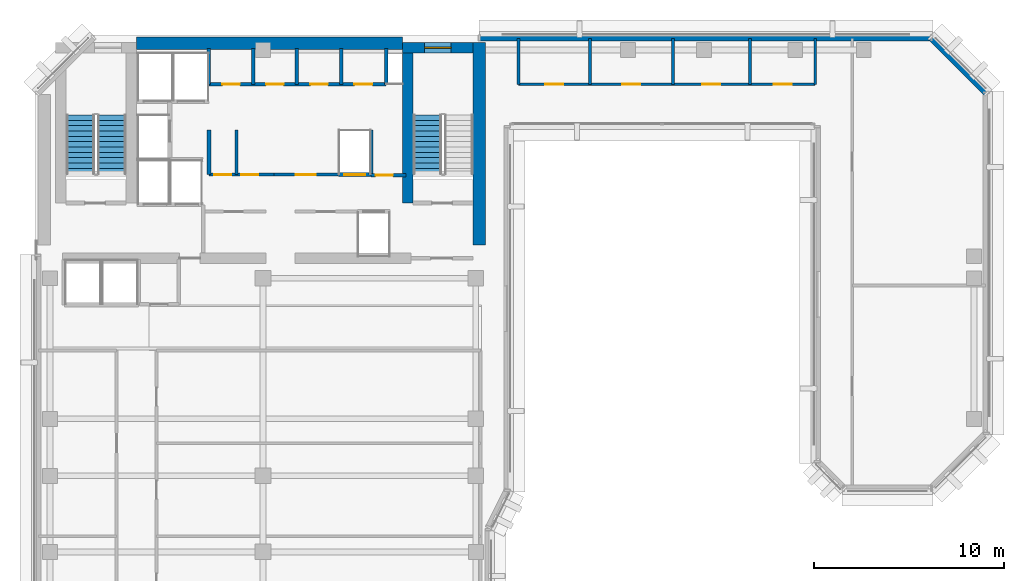
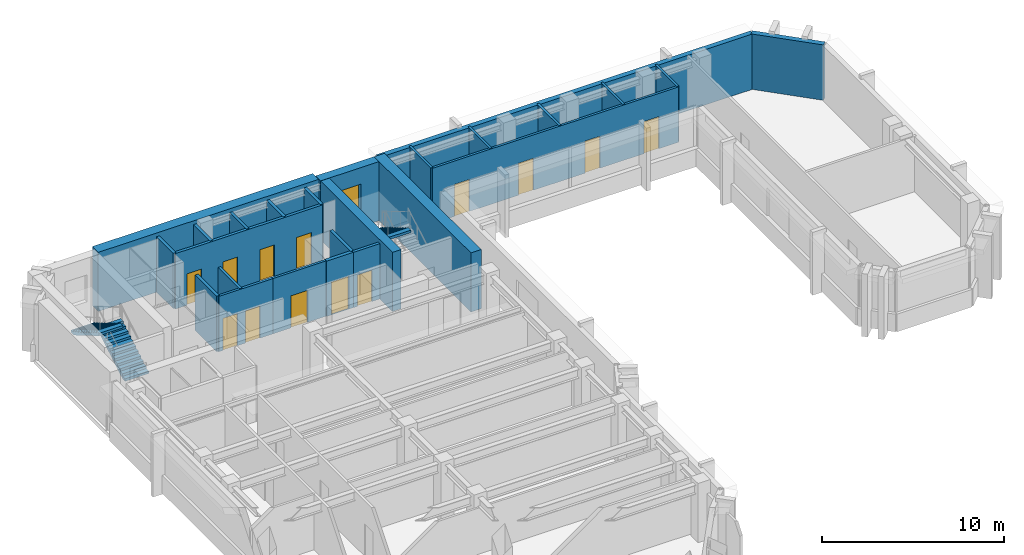
# One storey, part 7 of 12: 25 walls, 13 doors, 3 stair flights, 1 window, 14 openings, 2 elements without a shape of their own.
"""IFC4 building model written with IfcOpenShell, lengths in metres."""

import ifcopenshell
import ifcopenshell.guid

model = None  # the IFC model being written
_history = None  # IfcOwnerHistory: only IFC2X3 demands one
_inside = {}  # id of a spatial element -> (the spatial element, [elements in it])
_under = {}  # id of a project, library or spatial element -> (it, [spatial elements below it])
_declared = {}  # id of a project -> (the project, [libraries it declares])
_typed = {}  # id of a type object -> (the type object, [elements of that type])
_made_of = {}  # id of a material, layer set ... -> (it, [elements and type objects made of it])


def new_model(schema):
    """Start an empty IFC model of exactly this schema.

    Asked for "IFC4X3", IfcOpenShell would pick the latest addendum, in which some entities
    have other attributes; the version numbers below select the first issue.
    IFC2X3 requires an IfcOwnerHistory on every rooted entity: one is made here for all.
    """
    global model, _history
    if schema == "IFC4X3":
        model = ifcopenshell.file(schema_version=(4, 3, 0, 0))
    else:
        model = ifcopenshell.file(schema=schema)
    _inside.clear()
    _under.clear()
    _declared.clear()
    _typed.clear()
    _made_of.clear()
    _history = None
    if model.schema == "IFC2X3":
        org = make("IfcOrganization", Name="unknown")
        user = make(
            "IfcPersonAndOrganization",
            ThePerson=make("IfcPerson", FamilyName="unknown"),
            TheOrganization=org,
        )
        app = make(
            "IfcApplication",
            ApplicationDeveloper=org,
            Version="unknown",
            ApplicationFullName="unknown",
            ApplicationIdentifier="unknown",
        )
        _history = make(
            "IfcOwnerHistory",
            OwningUser=user,
            OwningApplication=app,
            ChangeAction="ADDED",
            CreationDate=0,
        )
    return model


def make(cls, **values):
    """One entity of the class cls with the attributes given. An attribute that is None is left unset."""
    return model.create_entity(
        cls, **{name: value for name, value in values.items() if value is not None}
    )


def rooted(cls, **values):
    """An entity with a GlobalId (a new one), such as an element, a storey or a relation."""
    return make(cls, GlobalId=ifcopenshell.guid.new(), OwnerHistory=_history, **values)


def si_unit(unit_type, name, prefix=None):
    """IfcSIUnit, for example si_unit("LENGTHUNIT", "METRE", prefix="MILLI")."""
    return make("IfcSIUnit", UnitType=unit_type, Prefix=prefix, Name=name)


def assignment(units):
    """IfcUnitAssignment: the units of a project."""
    return None if units is None else make("IfcUnitAssignment", Units=units)


def point(xyz):
    """IfcCartesianPoint."""
    return None if xyz is None else make("IfcCartesianPoint", Coordinates=xyz)


def direction(xyz):
    """IfcDirection."""
    return None if xyz is None else make("IfcDirection", DirectionRatios=xyz)


def frame(location, z_axis=None, x_axis=None):
    """IfcAxis2Placement3D, a coordinate frame: its origin and axes. An axis left out is left unset."""
    return make(
        "IfcAxis2Placement3D",
        Location=point(location),
        Axis=direction(z_axis),
        RefDirection=direction(x_axis),
    )


def frame_2d(location, x_axis=None):
    """IfcAxis2Placement2D, a coordinate frame in the plane: its origin and x axis."""
    return make(
        "IfcAxis2Placement2D", Location=point(location), RefDirection=direction(x_axis)
    )


def origin():
    """The frame at (0, 0, 0) with its axes left unset."""
    return frame((0.0, 0.0, 0.0))


def place(relative_to, where):
    """IfcLocalPlacement: puts the frame where relative to a parent placement (None: the world)."""
    return make(
        "IfcLocalPlacement", PlacementRelTo=relative_to, RelativePlacement=where
    )


def context(
    kind, dimensions, precision=None, world=None, true_north=None, identifier=None
):
    """IfcGeometricRepresentationContext, for example the 3D "Model" context."""
    return make(
        "IfcGeometricRepresentationContext",
        ContextIdentifier=identifier,
        ContextType=kind,
        CoordinateSpaceDimension=dimensions,
        Precision=precision,
        WorldCoordinateSystem=world,
        TrueNorth=true_north,
    )


def subcontext(parent, identifier, kind, view, scale=None):
    """IfcGeometricRepresentationSubContext, for example "Body" below "Model"."""
    return make(
        "IfcGeometricRepresentationSubContext",
        ContextIdentifier=identifier,
        ContextType=kind,
        ParentContext=parent,
        TargetScale=scale,
        TargetView=view,
    )


def project(units=None, contexts=None):
    """IfcProject with its units and contexts."""
    return rooted(
        "IfcProject",
        Name="project",
        RepresentationContexts=contexts,
        UnitsInContext=assignment(units),
    )


def spatial(cls, under=None, at=None, **own):
    """A site, building, storey or space (cls), placed at a placement, below another one or the project."""
    s = rooted(cls, ObjectPlacement=at, **own)
    if under is not None:
        _under.setdefault(under.id(), (under, []))[1].append(s)
    return s


def polyline(points):
    """IfcPolyline through the points."""
    return make("IfcPolyline", Points=[point(p) for p in points])


def profile(cls, at=None, kind="AREA", **sizes):
    """A parametric profile (cls). Its sizes go by their IFC names, for example OverallWidth=200.0."""
    return make(cls, ProfileType=kind, Position=at, **sizes)


def rectangle(**sizes):
    """IfcRectangleProfileDef."""
    return profile("IfcRectangleProfileDef", **sizes)


def outline(outer, holes=None, kind="AREA"):
    """IfcArbitraryClosedProfileDef: a profile drawn as a closed curve; with holes, ...WithVoids."""
    if holes is None:
        return make("IfcArbitraryClosedProfileDef", ProfileType=kind, OuterCurve=outer)
    return make(
        "IfcArbitraryProfileDefWithVoids",
        ProfileType=kind,
        OuterCurve=outer,
        InnerCurves=holes,
    )


def extrude(swept, where, along, depth):
    """IfcExtrudedAreaSolid: the profile swept, set in the frame where, extruded along a direction by depth."""
    return make(
        "IfcExtrudedAreaSolid",
        SweptArea=swept,
        Position=where,
        ExtrudedDirection=direction(along),
        Depth=depth,
    )


def shape(context_of_items, identifier, shape_type, items):
    """IfcShapeRepresentation: the items that make up one representation, for example the "Body"."""
    return make(
        "IfcShapeRepresentation",
        ContextOfItems=context_of_items,
        RepresentationIdentifier=identifier,
        RepresentationType=shape_type,
        Items=items,
    )


def material(Name=None, Category=None):
    """IfcMaterial."""
    return make("IfcMaterial", Name=Name, Category=Category)


def layer(
    of_material, thickness, ventilated=None, Name=None, Category=None, Priority=None
):
    """IfcMaterialLayer: one layer of a wall or slab, of a material (None: an air gap)."""
    return make(
        "IfcMaterialLayer",
        Material=of_material,
        LayerThickness=thickness,
        IsVentilated=ventilated,
        Name=Name,
        Category=Category,
        Priority=Priority,
    )


def layer_set(layers, Name=None):
    """IfcMaterialLayerSet."""
    return make("IfcMaterialLayerSet", MaterialLayers=layers, LayerSetName=Name)


def made_of(thing, what):
    """Note that an element or type object is made of a material, layer set ...; save() writes the relation."""
    if what is not None:
        _made_of.setdefault(what.id(), (what, []))[1].append(thing)
    return thing


def type_object(cls, material=None, **own):
    """A type object (cls), such as IfcWallType, which elements share."""
    return made_of(rooted(cls, **own), material)


def element(
    cls,
    number,
    at=None,
    inside=None,
    cuts=None,
    type_object=None,
    material=None,
    context=None,
    identifier="Body",
    shape_type=None,
    held_by="IfcProductDefinitionShape",
    body=None,
    shapes=None,
    **own,
):
    """One element of the class cls, such as IfcWall. Its Tag is "e" and its number.

    at: its placement. inside: the storey or other place that contains it. cuts: it is an
    opening in that element (IfcRelVoidsElement). A single representation is given by context,
    identifier, shape_type and body (its items); several are given by shapes. held_by: the class
    of the entity that holds the representations. save() writes the other relations.
    """
    e = rooted(cls, Tag="e%d" % number, ObjectPlacement=at, **own)
    if body is not None:
        shapes = [shape(context, identifier, shape_type, body)]
    if shapes is not None:
        e.Representation = make(held_by, Representations=shapes)
    if inside is not None:
        _inside.setdefault(inside.id(), (inside, []))[1].append(e)
    if cuts is not None:
        rooted(
            "IfcRelVoidsElement", RelatingBuildingElement=cuts, RelatedOpeningElement=e
        )
    if type_object is not None:
        _typed.setdefault(type_object.id(), (type_object, []))[1].append(e)
    return made_of(e, material)


def fill(opening, filler):
    """IfcRelFillsElement: the door or window that sits in an opening."""
    return rooted(
        "IfcRelFillsElement",
        RelatingOpeningElement=opening,
        RelatedBuildingElement=filler,
    )


def aggregate(whole, parts):
    """IfcRelAggregates: a whole, such as a stair, and the parts it consists of."""
    return rooted("IfcRelAggregates", RelatingObject=whole, RelatedObjects=parts)


def save(model, path):
    """Write the relations noted so far, then the file.

    IfcRelAggregates (storeys below a building ...), IfcRelContainedInSpatialStructure (elements
    in a storey), IfcRelDefinesByType, IfcRelAssociatesMaterial and IfcRelDeclares: one each for
    every whole, place, type object, material and project.
    """
    for whole, parts in _under.values():
        aggregate(whole, parts)
    for where, things in _inside.values():
        rooted(
            "IfcRelContainedInSpatialStructure",
            RelatedElements=things,
            RelatingStructure=where,
        )
    for kind, things in _typed.values():
        rooted("IfcRelDefinesByType", RelatedObjects=things, RelatingType=kind)
    for what, things in _made_of.values():
        rooted("IfcRelAssociatesMaterial", RelatedObjects=things, RelatingMaterial=what)
    for by, libraries in _declared.values():
        rooted("IfcRelDeclares", RelatingContext=by, RelatedDefinitions=libraries)
    model.write(path)


model = new_model("IFC4")

# Units and contexts
model_context = context("Model", 3, precision=1e-05, world=origin(), true_north=direction((0.0, 1.0)))
body_context = subcontext(model_context, "Body", "Model", "MODEL_VIEW")
ifc_project = project(units=[si_unit("LENGTHUNIT", "METRE"), si_unit("AREAUNIT", "SQUARE_METRE"), si_unit("VOLUMEUNIT", "CUBIC_METRE"), si_unit("PLANEANGLEUNIT", "RADIAN"), si_unit("MASSUNIT", "GRAM", prefix="KILO")], contexts=[model_context])

# Site, building, storey
site_placement = place(None, origin())
site = spatial("IfcSite", under=ifc_project, at=site_placement, CompositionType="ELEMENT")
building_placement = place(site_placement, origin())
building = spatial("IfcBuilding", under=site, at=building_placement, Name="Kefirva Bronze Tower", CompositionType="ELEMENT")
storey_placement = place(building_placement, frame((0.0, 0.0, 235.6201171875)))
storey = spatial("IfcBuildingStorey", under=building, at=storey_placement, Name="L57", CompositionType="ELEMENT", Elevation=235.6201171875)

# Wall, opening, door
ifc_material_1 = material(Name="Gypsum acoustic partition")
ifc_layer_1 = layer(ifc_material_1, 0.14990234375, Name="Gypsum acoustic partition")
ifc_layer_set_1 = layer_set([ifc_layer_1], Name="Gypsum acoustic partition")
wall_type_1 = type_object("IfcWallType", Name="Executive Suite Partition 150mm", PredefinedType="PARTITIONING", material=ifc_layer_set_1)
wall_1_placement = place(storey_placement, frame((12.580078125, 38.64990234375, 0.0), z_axis=(0.0, 0.0, 1.0), x_axis=(1.0, 0.0, 0.0)))
wall_1 = element("IfcWall", 1, at=wall_1_placement, inside=storey, type_object=wall_type_1, Name="L57 Partition W-L57-RECMP2", PredefinedType="PARTITIONING", context=body_context, shape_type="SweptSolid", body=[
    extrude(rectangle(XDim=3.3798828125, YDim=0.14990234375, at=frame_2d((1.68994140625, 0.0))), origin(), (0.0, 0.0, 1.0), 3.7099609375),
])
opening_1_placement = place(wall_1_placement, frame((2.199951171875, 0.0, 0.0), z_axis=(0.0, 0.0, 1.0), x_axis=(-1.0, 0.0, 0.0)))
opening_1 = element("IfcOpeningElement", 2, at=opening_1_placement, cuts=wall_1, Name="Opening L57-D-RECMP2", PredefinedType="OPENING", context=body_context, shape_type="SweptSolid", body=[
    extrude(rectangle(XDim=1.050048828125, YDim=2.14990234375, at=frame_2d((0.52490234375, 1.074951171875))), frame((0.0, 0.0849609375, 0.0), z_axis=(0.0, -1.0, 0.0), x_axis=(1.0, 0.0, 0.0)), (0.0, 0.0, 1.0), 0.169921875),
])
ifc_material_2 = material(Name="Acoustic hardwood oak", Category="wood")
door_type_1 = type_object("IfcDoorType", Name="Executive & Boardroom Door 1050x2150", OperationType="NOTDEFINED", PredefinedType="DOOR", material=ifc_material_2)
door_1_placement = place(opening_1_placement, origin())
door_1 = element("IfcDoor", 3, at=door_1_placement, inside=storey, type_object=door_type_1, Name="Door L57-D-RECMP2", OperationType="SINGLE_SWING_LEFT", OverallHeight=2.14990234375, OverallWidth=1.050048828125, PredefinedType="DOOR", context=body_context, shape_type="SweptSolid", body=[
    extrude(rectangle(XDim=1.050048828125, YDim=2.14990234375, at=frame_2d((0.52490234375, 1.074951171875))), frame((0.0, 0.02490234375, 0.0), z_axis=(0.0, -1.0, 0.0), x_axis=(1.0, 0.0, 0.0)), (0.0, 0.0, 1.0), 0.050048828125),
])
fill(opening_1, door_1)

# Wall, openings, doors
wall_2_placement = place(storey_placement, frame((25.449951171875, 43.39990234375, 0.0), z_axis=(0.0, 0.0, 1.0), x_axis=(1.0, 0.0, 0.0)))
wall_2 = element("IfcWall", 4, at=wall_2_placement, inside=storey, type_object=wall_type_1, Name="L57 Partition W-L57-PBRGN", PredefinedType="PARTITIONING", context=body_context, shape_type="SweptSolid", body=[
    extrude(rectangle(XDim=15.60009765625, YDim=0.14990234375, at=frame_2d((7.800048828125, 0.0))), origin(), (0.0, 0.0, 1.0), 3.7099609375),
])
opening_2_placement = place(wall_2_placement, frame((1.39697265625, 0.0, 0.0)))
opening_2 = element("IfcOpeningElement", 5, at=opening_2_placement, cuts=wall_2, Name="Opening L57-D-PBN1", PredefinedType="OPENING", context=body_context, shape_type="SweptSolid", body=[
    extrude(rectangle(XDim=0.949951171875, YDim=2.14990234375, at=frame_2d((0.47509765625, 1.074951171875))), frame((0.0, 0.0849609375, 0.0), z_axis=(0.0, -1.0, 0.0), x_axis=(1.0, 0.0, 0.0)), (0.0, 0.0, 1.0), 0.169921875),
])
opening_3_placement = place(wall_2_placement, frame((5.452880859375, 0.0, 0.0)))
opening_3 = element("IfcOpeningElement", 6, at=opening_3_placement, cuts=wall_2, Name="Opening L57-D-PBN2", PredefinedType="OPENING", context=body_context, shape_type="SweptSolid", body=[
    extrude(rectangle(XDim=0.949951171875, YDim=2.14990234375, at=frame_2d((0.47509765625, 1.074951171875))), frame((0.0, 0.0849609375, 0.0), z_axis=(0.0, -1.0, 0.0), x_axis=(1.0, 0.0, 0.0)), (0.0, 0.0, 1.0), 0.169921875),
])
opening_4_placement = place(wall_2_placement, frame((9.6650390625, 0.0, 0.0)))
opening_4 = element("IfcOpeningElement", 7, at=opening_4_placement, cuts=wall_2, Name="Opening L57-D-PBN3", PredefinedType="OPENING", context=body_context, shape_type="SweptSolid", body=[
    extrude(rectangle(XDim=0.949951171875, YDim=2.14990234375, at=frame_2d((0.47509765625, 1.074951171875))), frame((0.0, 0.0849609375, 0.0), z_axis=(0.0, -1.0, 0.0), x_axis=(1.0, 0.0, 0.0)), (0.0, 0.0, 1.0), 0.169921875),
])
opening_5_placement = place(wall_2_placement, frame((13.408935546875, 0.0, 0.0)))
opening_5 = element("IfcOpeningElement", 8, at=opening_5_placement, cuts=wall_2, Name="Opening L57-D-PBN4", PredefinedType="OPENING", context=body_context, shape_type="SweptSolid", body=[
    extrude(rectangle(XDim=0.949951171875, YDim=2.14990234375, at=frame_2d((0.47509765625, 1.074951171875))), frame((0.0, 0.0849609375, 0.0), z_axis=(0.0, -1.0, 0.0), x_axis=(1.0, 0.0, 0.0)), (0.0, 0.0, 1.0), 0.169921875),
])
door_type_2 = type_object("IfcDoorType", Name="Office & Meeting Room Door 950x2150", OperationType="NOTDEFINED", PredefinedType="DOOR", material=ifc_material_2)
door_2_placement = place(opening_2_placement, origin())
door_2 = element("IfcDoor", 9, at=door_2_placement, inside=storey, type_object=door_type_2, Name="Door L57-D-PBN1", OperationType="SINGLE_SWING_LEFT", OverallHeight=2.14990234375, OverallWidth=0.949951171875, PredefinedType="DOOR", context=body_context, shape_type="SweptSolid", body=[
    extrude(rectangle(XDim=0.949951171875, YDim=2.14990234375, at=frame_2d((0.47509765625, 1.074951171875))), frame((0.0, 0.02490234375, 0.0), z_axis=(0.0, -1.0, 0.0), x_axis=(1.0, 0.0, 0.0)), (0.0, 0.0, 1.0), 0.050048828125),
])
fill(opening_2, door_2)
door_3_placement = place(opening_3_placement, origin())
door_3 = element("IfcDoor", 10, at=door_3_placement, inside=storey, type_object=door_type_2, Name="Door L57-D-PBN2", OperationType="SINGLE_SWING_RIGHT", OverallHeight=2.14990234375, OverallWidth=0.949951171875, PredefinedType="DOOR", context=body_context, shape_type="SweptSolid", body=[
    extrude(rectangle(XDim=0.949951171875, YDim=2.14990234375, at=frame_2d((0.47509765625, 1.074951171875))), frame((0.0, 0.02490234375, 0.0), z_axis=(0.0, -1.0, 0.0), x_axis=(1.0, 0.0, 0.0)), (0.0, 0.0, 1.0), 0.050048828125),
])
fill(opening_3, door_3)
door_4_placement = place(opening_4_placement, origin())
door_4 = element("IfcDoor", 11, at=door_4_placement, inside=storey, type_object=door_type_2, Name="Door L57-D-PBN3", OperationType="SINGLE_SWING_LEFT", OverallHeight=2.14990234375, OverallWidth=0.949951171875, PredefinedType="DOOR", context=body_context, shape_type="SweptSolid", body=[
    extrude(rectangle(XDim=0.949951171875, YDim=2.14990234375, at=frame_2d((0.47509765625, 1.074951171875))), frame((0.0, 0.02490234375, 0.0), z_axis=(0.0, -1.0, 0.0), x_axis=(1.0, 0.0, 0.0)), (0.0, 0.0, 1.0), 0.050048828125),
])
fill(opening_4, door_4)
door_5_placement = place(opening_5_placement, origin())
door_5 = element("IfcDoor", 12, at=door_5_placement, inside=storey, type_object=door_type_2, Name="Door L57-D-PBN4", OperationType="SINGLE_SWING_RIGHT", OverallHeight=2.14990234375, OverallWidth=0.949951171875, PredefinedType="DOOR", context=body_context, shape_type="SweptSolid", body=[
    extrude(rectangle(XDim=0.949951171875, YDim=2.14990234375, at=frame_2d((0.47509765625, 1.074951171875))), frame((0.0, 0.02490234375, 0.0), z_axis=(0.0, -1.0, 0.0), x_axis=(1.0, 0.0, 0.0)), (0.0, 0.0, 1.0), 0.050048828125),
])
fill(opening_5, door_5)

# Walls
for number, where, z_axis, x_axis, name in (
    (13, (25.449951171875, 43.39990234375, 0.0), (0.0, 0.0, 1.0), (0.0, 1.0, 0.0), "L57 Partition W-L57-PBRGW"),
    (14, (41.050048828125, 43.39990234375, 0.0), (0.0, 0.0, 1.0), (0.0, 1.0, 0.0), "L57 Partition W-L57-PBRGE"),
    (15, (29.194091796875, 43.39990234375, 0.0), (0.0, 0.0, 1.0), (0.0, 1.0, 0.0), "L57 Partition W-L57-PBND1"),
    (16, (33.56201171875, 43.39990234375, 0.0), (0.0, 0.0, 1.0), (0.0, 1.0, 0.0), "L57 Partition W-L57-PBND2"),
    (17, (37.617919921875, 43.39990234375, 0.0), (0.0, 0.0, 1.0), (0.0, 1.0, 0.0), "L57 Partition W-L57-PBND3"),
):
    element("IfcWall", number, at=place(storey_placement, frame(where, z_axis=z_axis, x_axis=x_axis)), inside=storey, type_object=wall_type_1, Name=name, PredefinedType="PARTITIONING", context=body_context, shape_type="SweptSolid", body=[
        extrude(rectangle(XDim=2.41015625, YDim=0.14990234375, at=frame_2d((1.205078125, 0.0))), origin(), (0.0, 0.0, 1.0), 3.7099609375),
    ])
ifc_material_3 = material(Name="Gypsum fireboard shaftwall")
ifc_layer_2 = layer(ifc_material_3, 0.219970703125, Name="Gypsum fireboard shaftwall")
ifc_layer_set_2 = layer_set([ifc_layer_2], Name="Gypsum fireboard shaftwall")
wall_type_2 = type_object("IfcWallType", Name="Fire-Rated Shaft Enclosure Wall 220mm", PredefinedType="PARTITIONING", material=ifc_layer_set_2)
for number, where, z_axis, x_axis, name in (
    (18, (9.159912109375, 38.64990234375, 0.0), (0.0, 0.0, 1.0), (0.0, 1.0, 0.0), "L57 Partition W-L57-LP3W"),
    (19, (17.679931640625, 38.64990234375, 0.0), (0.0, 0.0, 1.0), (0.0, 1.0, 0.0), "L57 Partition W-L57-HP2E"),
):
    element("IfcWall", number, at=place(storey_placement, frame(where, z_axis=z_axis, x_axis=x_axis)), inside=storey, type_object=wall_type_2, Name=name, PredefinedType="PARTITIONING", context=body_context, shape_type="SweptSolid", body=[
        extrude(rectangle(XDim=2.35009765625, YDim=0.199951171875, at=frame_2d((1.175048828125, 0.0))), origin(), (0.0, 0.0, 1.0), 3.7099609375),
    ])

# Wall, opening, door
wall_3_placement = place(storey_placement, frame((15.97998046875, 38.64990234375, 0.0), z_axis=(0.0, 0.0, 1.0), x_axis=(1.0, 0.0, 0.0)))
wall_3 = element("IfcWall", 20, at=wall_3_placement, inside=storey, type_object=wall_type_2, Name="L57 Partition W-L57-HPN", PredefinedType="PARTITIONING", context=body_context, shape_type="SweptSolid", body=[
    extrude(rectangle(XDim=1.719970703125, YDim=0.219970703125, at=frame_2d((0.85986328125, 0.0))), origin(), (0.0, 0.0, 1.0), 3.7099609375),
])
opening_6_placement = place(wall_3_placement, frame((0.300048828125, 0.0, 0.0)))
opening_6 = element("IfcOpeningElement", 21, at=opening_6_placement, cuts=wall_3, Name="Opening L57-LD-HP2", PredefinedType="OPENING", context=body_context, shape_type="SweptSolid", body=[
    extrude(rectangle(XDim=1.10009765625, YDim=2.199951171875, at=frame_2d((0.550048828125, 1.10009765625))), frame((0.0, 0.1201171875, 0.0), z_axis=(0.0, -1.0, 0.0), x_axis=(1.0, 0.0, 0.0)), (0.0, 0.0, 1.0), 0.239990234375),
])
ifc_material_4 = material(Name="Stainless steel 316", Category="steel")
door_type_3 = type_object("IfcDoorType", Name="Passenger Lift Sliding Landing Door 1100x2200", OperationType="SLIDING_TO_LEFT", PredefinedType="DOOR", material=ifc_material_4)
door_6_placement = place(opening_6_placement, origin())
door_6 = element("IfcDoor", 22, at=door_6_placement, inside=storey, type_object=door_type_3, Name="Door L57-LD-HP2", OperationType="SLIDING_TO_LEFT", OverallHeight=2.199951171875, OverallWidth=1.10009765625, PredefinedType="DOOR", context=body_context, shape_type="SweptSolid", body=[
    extrude(rectangle(XDim=1.10009765625, YDim=2.199951171875, at=frame_2d((0.550048828125, 1.10009765625))), frame((0.0, 0.02490234375, 0.0), z_axis=(0.0, -1.0, 0.0), x_axis=(1.0, 0.0, 0.0)), (0.0, 0.0, 1.0), 0.050048828125),
])
fill(opening_6, door_6)

ifc_material_5 = material(Name="Gypsum fireboard barrier")
ifc_layer_3 = layer(ifc_material_5, 0.199951171875, Name="Gypsum fireboard barrier")
ifc_layer_set_3 = layer_set([ifc_layer_3], Name="Gypsum fireboard barrier")
wall_type_3 = type_object("IfcWallType", Name="Firefighting Lobby Barrier Wall 200mm", PredefinedType="PARTITIONING", material=ifc_layer_set_3)
wall_4_placement = place(storey_placement, frame((17.679931640625, 38.6201171875, 0.0), z_axis=(0.0, 0.0, 1.0), x_axis=(1.0, 0.0, 0.0)))
wall_4 = element("IfcWall", 23, at=wall_4_placement, inside=storey, type_object=wall_type_3, Name="L57 Partition W-L57-CPASS", PredefinedType="PARTITIONING", context=body_context, shape_type="SweptSolid", body=[
    extrude(rectangle(XDim=1.840087890625, YDim=0.179931640625, at=frame_2d((0.919921875, 0.0))), origin(), (0.0, 0.0, 1.0), 3.7099609375),
])
opening_7_placement = place(wall_4_placement, frame((0.239990234375, 0.0, 0.0)))
opening_7 = element("IfcOpeningElement", 24, at=opening_7_placement, cuts=wall_4, Name="Opening L57-D-CPAS", PredefinedType="OPENING", context=body_context, shape_type="SweptSolid", body=[
    extrude(rectangle(XDim=0.919921875, YDim=2.10009765625, at=frame_2d((0.4599609375, 1.050048828125))), frame((0.0, 0.10009765625, 0.0), z_axis=(0.0, -1.0, 0.0), x_axis=(1.0, 0.0, 0.0)), (0.0, 0.0, 1.0), 0.199951171875),
])
ifc_material_6 = material(Name="Moisture-resistant timber", Category="wood")
door_type_4 = type_object("IfcDoorType", Name="Accessible Sanitary & WC Door 920x2100", OperationType="NOTDEFINED", PredefinedType="DOOR", material=ifc_material_6)
door_7_placement = place(opening_7_placement, origin())
door_7 = element("IfcDoor", 25, at=door_7_placement, inside=storey, type_object=door_type_4, Name="Door L57-D-CPAS", OperationType="SINGLE_SWING_LEFT", OverallHeight=2.10009765625, OverallWidth=0.919921875, PredefinedType="DOOR", context=body_context, shape_type="SweptSolid", body=[
    extrude(rectangle(XDim=0.919921875, YDim=2.10009765625, at=frame_2d((0.4599609375, 1.050048828125))), frame((0.0, 0.02490234375, 0.0), z_axis=(0.0, -1.0, 0.0), x_axis=(1.0, 0.0, 0.0)), (0.0, 0.0, 1.0), 0.050048828125),
])
fill(opening_7, door_7)

# Walls
ifc_material_7 = material(Name="Precast concrete C40/50", Category="concrete")
ifc_layer_4 = layer(ifc_material_7, 0.320068359375, Name="Precast concrete C40/50")
ifc_layer_set_4 = layer_set([ifc_layer_4], Name="Precast concrete C40/50")
wall_type_4 = type_object("IfcWallType", Name="Precast Insulated Exterior Wall 320mm", PredefinedType="SOLIDWALL", material=ifc_layer_set_4)
wall_5_placement = place(storey_placement, frame((50.048095703125, 42.92578125, 0.0), z_axis=(0.0, 0.0, 1.0), x_axis=(-0.707136318428, 0.707077242712, 0.0)))
element("IfcWall", 26, at=wall_5_placement, inside=storey, type_object=wall_type_4, Name="L57 Exterior Facade Wall 10", PredefinedType="SOLIDWALL", context=body_context, shape_type="SweptSolid", body=[
    extrude(rectangle(XDim=4.132568359375, YDim=0.320068359375, at=frame_2d((2.06640625, 0.0))), origin(), (0.0, 0.0, 1.0), 3.7099609375),
])
wall_6_placement = place(storey_placement, frame((47.14501953125, 45.840087890625, 0.0), z_axis=(0.0, 0.0, 1.0), x_axis=(-1.0, 0.0, 0.0)))
element("IfcWall", 27, at=wall_6_placement, inside=storey, type_object=wall_type_4, Name="L57 Exterior Facade Wall 11", PredefinedType="SOLIDWALL", context=body_context, shape_type="SweptSolid", body=[
    extrude(rectangle(XDim=23.739990234375, YDim=0.320068359375, at=frame_2d((11.8701171875, 0.0))), origin(), (0.0, 0.0, 1.0), 3.7099609375),
])

# Wall, openings, doors
ifc_layer_5 = layer(ifc_material_1, 0.159912109375, Name="Gypsum acoustic partition")
ifc_layer_set_5 = layer_set([ifc_layer_5], Name="Gypsum acoustic partition")
wall_type_5 = type_object("IfcWallType", Name="Protected Corridor Partition 160mm", PredefinedType="PARTITIONING", material=ifc_layer_set_5)
wall_7_placement = place(storey_placement, frame((9.159912109375, 38.64990234375, 0.0), z_axis=(0.0, 0.0, 1.0), x_axis=(1.0, 0.0, 0.0)))
wall_7 = element("IfcWall", 28, at=wall_7_placement, inside=storey, type_object=wall_type_5, Name="L57 Partition W-L57-RECLP2", PredefinedType="PARTITIONING", context=body_context, shape_type="SweptSolid", body=[
    extrude(rectangle(XDim=3.420166015625, YDim=0.159912109375, at=frame_2d((1.7099609375, 0.0))), origin(), (0.0, 0.0, 1.0), 3.7099609375),
])
opening_8_placement = place(wall_7_placement, frame((1.179931640625, 0.0, 0.0), z_axis=(0.0, 0.0, 1.0), x_axis=(-1.0, 0.0, 0.0)))
opening_8 = element("IfcOpeningElement", 29, at=opening_8_placement, cuts=wall_7, Name="Opening L57-D-RECLP2A", PredefinedType="OPENING", context=body_context, shape_type="SweptSolid", body=[
    extrude(rectangle(XDim=0.89990234375, YDim=2.14990234375, at=frame_2d((0.449951171875, 1.074951171875))), frame((0.0, 0.08984375, 0.0), z_axis=(0.0, -1.0, 0.0), x_axis=(1.0, 0.0, 0.0)), (0.0, 0.0, 1.0), 0.179931640625),
])
opening_9_placement = place(wall_7_placement, frame((2.599853515625, 0.0, 0.0), z_axis=(0.0, 0.0, 1.0), x_axis=(-1.0, 0.0, 0.0)))
opening_9 = element("IfcOpeningElement", 30, at=opening_9_placement, cuts=wall_7, Name="Opening L57-D-RECLP2B", PredefinedType="OPENING", context=body_context, shape_type="SweptSolid", body=[
    extrude(rectangle(XDim=0.89990234375, YDim=2.14990234375, at=frame_2d((0.449951171875, 1.074951171875))), frame((0.0, 0.08984375, 0.0), z_axis=(0.0, -1.0, 0.0), x_axis=(1.0, 0.0, 0.0)), (0.0, 0.0, 1.0), 0.179931640625),
])
ifc_material_8 = material(Name="Painted galvanized steel", Category="steel")
door_type_5 = type_object("IfcDoorType", Name="Core Archive & Server Fire Door 900x2150 FD60S", OperationType="NOTDEFINED", PredefinedType="DOOR", material=ifc_material_8)
door_8_placement = place(opening_8_placement, origin())
door_8 = element("IfcDoor", 31, at=door_8_placement, inside=storey, type_object=door_type_5, Name="Door L57-D-RECLP2A", OperationType="SINGLE_SWING_RIGHT", OverallHeight=2.14990234375, OverallWidth=0.89990234375, PredefinedType="DOOR", context=body_context, shape_type="SweptSolid", body=[
    extrude(rectangle(XDim=0.89990234375, YDim=2.14990234375, at=frame_2d((0.449951171875, 1.074951171875))), frame((0.0, 0.02490234375, 0.0), z_axis=(0.0, -1.0, 0.0), x_axis=(1.0, 0.0, 0.0)), (0.0, 0.0, 1.0), 0.050048828125),
])
fill(opening_8, door_8)
door_9_placement = place(opening_9_placement, origin())
door_9 = element("IfcDoor", 32, at=door_9_placement, inside=storey, type_object=door_type_5, Name="Door L57-D-RECLP2B", OperationType="SINGLE_SWING_LEFT", OverallHeight=2.14990234375, OverallWidth=0.89990234375, PredefinedType="DOOR", context=body_context, shape_type="SweptSolid", body=[
    extrude(rectangle(XDim=0.89990234375, YDim=2.14990234375, at=frame_2d((0.449951171875, 1.074951171875))), frame((0.0, 0.02490234375, 0.0), z_axis=(0.0, -1.0, 0.0), x_axis=(1.0, 0.0, 0.0)), (0.0, 0.0, 1.0), 0.050048828125),
])
fill(opening_9, door_9)

# Wall
wall_8_placement = place(storey_placement, frame((10.60009765625, 38.64990234375, 0.0), z_axis=(0.0, 0.0, 1.0), x_axis=(0.0, 1.0, 0.0)))
element("IfcWall", 33, at=wall_8_placement, inside=storey, type_object=wall_type_5, Name="L57 Partition W-L57-RECLP2D", PredefinedType="PARTITIONING", context=body_context, shape_type="SweptSolid", body=[
    extrude(rectangle(XDim=2.35009765625, YDim=0.159912109375, at=frame_2d((1.175048828125, 0.0))), origin(), (0.0, 0.0, 1.0), 3.7099609375),
])

# Wall, opening, window
ifc_material_9 = material(Name="Concrete C50/60", Category="concrete")
ifc_layer_6 = layer(ifc_material_9, 0.550048828125, Name="Concrete C50/60")
ifc_layer_set_6 = layer_set([ifc_layer_6], Name="Concrete C50/60")
wall_type_6 = type_object("IfcWallType", Name="RC Rear Core Exterior Wall 550mm", PredefinedType="SHEAR", material=ifc_layer_set_6)
wall_9_placement = place(storey_placement, frame((19.35009765625, 45.320068359375, 0.0), z_axis=(0.0, 0.0, 1.0), x_axis=(1.0, 0.0, 0.0)))
wall_9 = element("IfcWall", 34, at=wall_9_placement, inside=storey, type_object=wall_type_6, Name="L57 Stair 2 North Shear Wall", PredefinedType="SHEAR", context=body_context, shape_type="SweptSolid", body=[
    extrude(rectangle(XDim=3.68994140625, YDim=0.550048828125, at=frame_2d((1.844970703125, 0.0))), origin(), (0.0, 0.0, 1.0), 3.9599609375),
])
opening_10_placement = place(wall_9_placement, frame((1.14990234375, 0.0, 1.050048828125)))
opening_10 = element("IfcOpeningElement", 35, at=opening_10_placement, cuts=wall_9, Name="Opening WN-03", PredefinedType="OPENING", context=body_context, shape_type="SweptSolid", body=[
    extrude(rectangle(XDim=1.39990234375, YDim=1.800048828125, at=frame_2d((0.699951171875, 0.89990234375))), frame((0.0, 0.28515625, 0.0), z_axis=(0.0, -1.0, 0.0), x_axis=(1.0, 0.0, 0.0)), (0.0, 0.0, 1.0), 0.570068359375),
])
ifc_material_10 = material(Name="Laminated low-E double glazing", Category="glass")
window_type = type_object("IfcWindowType", Name="Rear-Core Stair Daylight Window 1400x1800", PartitioningType="SINGLE_PANEL", PredefinedType="WINDOW", material=ifc_material_10)
window_placement = place(opening_10_placement, origin())
window = element("IfcWindow", 36, at=window_placement, inside=storey, type_object=window_type, Name="L57 Stair 2 Daylight Window", OverallHeight=1.800048828125, OverallWidth=1.39990234375, PartitioningType="SINGLE_PANEL", PredefinedType="WINDOW", context=body_context, shape_type="SweptSolid", body=[
    extrude(rectangle(XDim=1.39990234375, YDim=1.800048828125, at=frame_2d((0.699951171875, 0.89990234375))), frame((0.0, 0.030029296875, 0.0), z_axis=(0.0, -1.0, 0.0), x_axis=(1.0, 0.0, 0.0)), (0.0, 0.0, 1.0), 0.06005859375),
])
fill(opening_10, window)

# Walls
ifc_layer_7 = layer(ifc_material_9, 0.64990234375, Name="Concrete C50/60")
ifc_layer_set_7 = layer_set([ifc_layer_7], Name="Concrete C50/60")
wall_type_7 = type_object("IfcWallType", Name="RC Rear Core Exterior Wall 650mm", PredefinedType="SHEAR", material=ifc_layer_set_7)
wall_10_placement = place(storey_placement, frame((5.360107421875, 45.550048828125, 0.0), z_axis=(0.0, 0.0, 1.0), x_axis=(1.0, 0.0, 0.0)))
element("IfcWall", 37, at=wall_10_placement, inside=storey, type_object=wall_type_7, Name="L57 Rear Core North Shear Wall", PredefinedType="SHEAR", context=body_context, shape_type="SweptSolid", body=[
    extrude(rectangle(XDim=13.97998046875, YDim=0.64990234375, at=frame_2d((6.989990234375, 0.0))), origin(), (0.0, 0.0, 1.0), 3.9599609375),
])
ifc_layer_8 = layer(ifc_material_9, 0.550048828125, Name="Concrete C50/60")
ifc_layer_set_8 = layer_set([ifc_layer_8], Name="Concrete C50/60")
wall_type_8 = type_object("IfcWallType", Name="RC Rear Core Interior Wall 550mm", PredefinedType="SHEAR", material=ifc_layer_set_8)
wall_11_placement = place(storey_placement, frame((19.6201171875, 37.14990234375, 0.0), z_axis=(0.0, 0.0, 1.0), x_axis=(0.0, 1.0, 0.0)))
element("IfcWall", 38, at=wall_11_placement, inside=storey, type_object=wall_type_8, Name="L57 Stair 2 West Shear Wall", PredefinedType="SHEAR", context=body_context, shape_type="SweptSolid", body=[
    extrude(rectangle(XDim=7.89013671875, YDim=0.550048828125, at=frame_2d((3.945068359375, 0.0))), origin(), (0.0, 0.0, 1.0), 3.9599609375),
])
ifc_layer_9 = layer(ifc_material_9, 0.64990234375, Name="Concrete C50/60")
ifc_layer_set_9 = layer_set([ifc_layer_9], Name="Concrete C50/60")
wall_type_9 = type_object("IfcWallType", Name="RC Rear Core Interior Wall 650mm", PredefinedType="SHEAR", material=ifc_layer_set_9)
wall_12_placement = place(storey_placement, frame((23.375, 34.949951171875, 0.0), z_axis=(0.0, 0.0, 1.0), x_axis=(0.0, 1.0, 0.0)))
element("IfcWall", 39, at=wall_12_placement, inside=storey, type_object=wall_type_9, Name="L57 Rear Core East Shear Wall", PredefinedType="SHEAR", context=body_context, shape_type="SweptSolid", body=[
    extrude(rectangle(XDim=10.64013671875, YDim=0.64990234375, at=frame_2d((5.320068359375, 0.0))), origin(), (0.0, 0.0, 1.0), 3.9599609375),
])

# Wall, openings, doors
ifc_material_11 = material(Name="Moisture-resistant partition")
ifc_layer_10 = layer(ifc_material_11, 0.179931640625, Name="Moisture-resistant partition")
ifc_layer_set_10 = layer_set([ifc_layer_10], Name="Moisture-resistant partition")
wall_type_10 = type_object("IfcWallType", Name="Sanitary Plumbing Chase Wall 180mm", PredefinedType="PLUMBINGWALL", material=ifc_layer_set_10)
wall_13_placement = place(storey_placement, frame((9.14990234375, 43.39990234375, 0.0), z_axis=(0.0, 0.0, 1.0), x_axis=(1.0, 0.0, 0.0)))
wall_13 = element("IfcWall", 40, at=wall_13_placement, inside=storey, type_object=wall_type_10, Name="L57 Partition W-L57-SVCS", PredefinedType="PLUMBINGWALL", context=body_context, shape_type="SweptSolid", body=[
    extrude(rectangle(XDim=9.330078125, YDim=0.179931640625, at=frame_2d((4.6650390625, 0.0))), origin(), (0.0, 0.0, 1.0), 3.7099609375),
])
opening_11_placement = place(wall_13_placement, frame((0.719970703125, 0.0, 0.0)))
opening_11 = element("IfcOpeningElement", 41, at=opening_11_placement, cuts=wall_13, Name="Opening L57-D-CSVC1", PredefinedType="OPENING", context=body_context, shape_type="SweptSolid", body=[
    extrude(rectangle(XDim=0.919921875, YDim=2.10009765625, at=frame_2d((0.4599609375, 1.050048828125))), frame((0.0, 0.10009765625, 0.0), z_axis=(0.0, -1.0, 0.0), x_axis=(1.0, 0.0, 0.0)), (0.0, 0.0, 1.0), 0.199951171875),
])
opening_12_placement = place(wall_13_placement, frame((3.02001953125, 0.0, 0.0)))
opening_12 = element("IfcOpeningElement", 42, at=opening_12_placement, cuts=wall_13, Name="Opening L57-D-CSVC2", PredefinedType="OPENING", context=body_context, shape_type="SweptSolid", body=[
    extrude(rectangle(XDim=0.919921875, YDim=2.10009765625, at=frame_2d((0.4599609375, 1.050048828125))), frame((0.0, 0.10009765625, 0.0), z_axis=(0.0, -1.0, 0.0), x_axis=(1.0, 0.0, 0.0)), (0.0, 0.0, 1.0), 0.199951171875),
])
opening_13_placement = place(wall_13_placement, frame((5.340087890625, 0.0, 0.0)))
opening_13 = element("IfcOpeningElement", 43, at=opening_13_placement, cuts=wall_13, Name="Opening L57-D-CSVC3", PredefinedType="OPENING", context=body_context, shape_type="SweptSolid", body=[
    extrude(rectangle(XDim=0.919921875, YDim=2.10009765625, at=frame_2d((0.4599609375, 1.050048828125))), frame((0.0, 0.10009765625, 0.0), z_axis=(0.0, -1.0, 0.0), x_axis=(1.0, 0.0, 0.0)), (0.0, 0.0, 1.0), 0.199951171875),
])
opening_14_placement = place(wall_13_placement, frame((7.659912109375, 0.0, 0.0)))
opening_14 = element("IfcOpeningElement", 44, at=opening_14_placement, cuts=wall_13, Name="Opening L57-D-CSVC4", PredefinedType="OPENING", context=body_context, shape_type="SweptSolid", body=[
    extrude(rectangle(XDim=0.949951171875, YDim=2.10009765625, at=frame_2d((0.47509765625, 1.050048828125))), frame((0.0, 0.10009765625, 0.0), z_axis=(0.0, -1.0, 0.0), x_axis=(1.0, 0.0, 0.0)), (0.0, 0.0, 1.0), 0.199951171875),
])
door_10_placement = place(opening_11_placement, origin())
door_10 = element("IfcDoor", 45, at=door_10_placement, inside=storey, type_object=door_type_4, Name="Door L57-D-CSVC1", OperationType="SINGLE_SWING_RIGHT", OverallHeight=2.10009765625, OverallWidth=0.919921875, PredefinedType="DOOR", context=body_context, shape_type="SweptSolid", body=[
    extrude(rectangle(XDim=0.919921875, YDim=2.10009765625, at=frame_2d((0.4599609375, 1.050048828125))), frame((0.0, 0.02490234375, 0.0), z_axis=(0.0, -1.0, 0.0), x_axis=(1.0, 0.0, 0.0)), (0.0, 0.0, 1.0), 0.050048828125),
])
fill(opening_11, door_10)
door_11_placement = place(opening_12_placement, origin())
door_11 = element("IfcDoor", 46, at=door_11_placement, inside=storey, type_object=door_type_4, Name="Door L57-D-CSVC2", OperationType="SINGLE_SWING_LEFT", OverallHeight=2.10009765625, OverallWidth=0.919921875, PredefinedType="DOOR", context=body_context, shape_type="SweptSolid", body=[
    extrude(rectangle(XDim=0.919921875, YDim=2.10009765625, at=frame_2d((0.4599609375, 1.050048828125))), frame((0.0, 0.02490234375, 0.0), z_axis=(0.0, -1.0, 0.0), x_axis=(1.0, 0.0, 0.0)), (0.0, 0.0, 1.0), 0.050048828125),
])
fill(opening_12, door_11)
door_12_placement = place(opening_13_placement, origin())
door_12 = element("IfcDoor", 47, at=door_12_placement, inside=storey, type_object=door_type_4, Name="Door L57-D-CSVC3", OperationType="SINGLE_SWING_RIGHT", OverallHeight=2.10009765625, OverallWidth=0.919921875, PredefinedType="DOOR", context=body_context, shape_type="SweptSolid", body=[
    extrude(rectangle(XDim=0.919921875, YDim=2.10009765625, at=frame_2d((0.4599609375, 1.050048828125))), frame((0.0, 0.02490234375, 0.0), z_axis=(0.0, -1.0, 0.0), x_axis=(1.0, 0.0, 0.0)), (0.0, 0.0, 1.0), 0.050048828125),
])
fill(opening_13, door_12)
door_type_6 = type_object("IfcDoorType", Name="Riser & Plant Shaft Fire Door 950x2100 FD60S", OperationType="NOTDEFINED", PredefinedType="DOOR", material=ifc_material_8)
door_13_placement = place(opening_14_placement, origin())
door_13 = element("IfcDoor", 48, at=door_13_placement, inside=storey, type_object=door_type_6, Name="Door L57-D-CSVC4", OperationType="SINGLE_SWING_LEFT", OverallHeight=2.10009765625, OverallWidth=0.949951171875, PredefinedType="DOOR", context=body_context, shape_type="SweptSolid", body=[
    extrude(rectangle(XDim=0.949951171875, YDim=2.10009765625, at=frame_2d((0.47509765625, 1.050048828125))), frame((0.0, 0.02490234375, 0.0), z_axis=(0.0, -1.0, 0.0), x_axis=(1.0, 0.0, 0.0)), (0.0, 0.0, 1.0), 0.050048828125),
])
fill(opening_14, door_13)

# Walls
for number, where, z_axis, x_axis, name in (
    (49, (9.14990234375, 43.39990234375, 0.0), (0.0, 0.0, 1.0), (0.0, 1.0, 0.0), "L57 Partition W-L57-SVCW"),
    (50, (18.47998046875, 43.39990234375, 0.0), (0.0, 0.0, 1.0), (0.0, 1.0, 0.0), "L57 Partition W-L57-SVCE"),
    (51, (11.47998046875, 43.39990234375, 0.0), (0.0, 0.0, 1.0), (0.0, 1.0, 0.0), "L57 Partition W-L57-CSVD-1"),
    (52, (13.780029296875, 43.39990234375, 0.0), (0.0, 0.0, 1.0), (0.0, 1.0, 0.0), "L57 Partition W-L57-CSVD-2"),
    (53, (16.1201171875, 43.39990234375, 0.0), (0.0, 0.0, 1.0), (0.0, 1.0, 0.0), "L57 Partition W-L57-CSVD-3"),
):
    element("IfcWall", number, at=place(storey_placement, frame(where, z_axis=z_axis, x_axis=x_axis)), inside=storey, type_object=wall_type_10, Name=name, PredefinedType="PLUMBINGWALL", context=body_context, shape_type="SweptSolid", body=[
        extrude(rectangle(XDim=1.880126953125, YDim=0.179931640625, at=frame_2d((0.93994140625, 0.0))), origin(), (0.0, 0.0, 1.0), 3.7099609375),
    ])

# Stair, stair flights
ifc_material_12 = material(Name="Concrete C40/50", Category="concrete")
stair_type = type_object("IfcStairType", Name="RC Dogleg Protected Stair 24R", PredefinedType="HALF_TURN_STAIR", material=ifc_material_12)
stair_1_placement = place(storey_placement, origin())
stair_1 = element("IfcStair", 54, at=stair_1_placement, inside=storey, type_object=stair_type, Name="L57 Protected Exit Stair 1", PredefinedType="HALF_TURN_STAIR")
stair_flight_type = type_object("IfcStairFlightType", Name="RC Straight Stair Flight 24R", PredefinedType="STRAIGHT", material=ifc_material_12)
stair_flight_1_placement = place(storey_placement, frame((4.050048828125, 38.699951171875, 0.0), z_axis=(0.0, 0.0, 1.0), x_axis=(0.0, 1.0, 0.0)))
stair_flight_1 = element("IfcStairFlight", 55, at=stair_flight_1_placement, type_object=stair_flight_type, Name="ST-1 flight 1", NumberOfRisers=12, NumberOfTreads=11, PredefinedType="STRAIGHT", RiserHeight=0.165, TreadLength=0.28, context=body_context, shape_type="SweptSolid", body=[
    extrude(outline(polyline([(0.0, 0.0), (0.0, 0.1650390625), (0.280029296875, 0.1650390625), (0.280029296875, 0.330078125), (0.56005859375, 0.330078125), (0.56005859375, 0.4951171875), (0.840087890625, 0.4951171875), (0.840087890625, 0.659912109375), (1.1201171875, 0.659912109375), (1.1201171875, 0.824951171875), (1.39990234375, 0.824951171875), (1.39990234375, 0.989990234375), (1.679931640625, 0.989990234375), (1.679931640625, 1.155029296875), (1.9599609375, 1.155029296875), (1.9599609375, 1.320068359375), (2.239990234375, 1.320068359375), (2.239990234375, 1.485107421875), (2.52001953125, 1.485107421875), (2.52001953125, 1.64990234375), (2.800048828125, 1.64990234375), (2.800048828125, 1.81494140625), (3.080078125, 1.81494140625), (3.080078125, 1.97998046875), (3.080078125, 1.64111328125), (0.295166015625, 0.0), (0.0, 0.0)])), frame((0.0, 0.75, 0.0), z_axis=(0.0, -1.0, 0.0), x_axis=(1.0, 0.0, 0.0)), (0.0, 0.0, 1.0), 1.5),
])
stair_flight_2_placement = place(storey_placement, frame((2.39990234375, 41.780029296875, 1.97998046875), z_axis=(0.0, 0.0, 1.0), x_axis=(0.0, -1.0, 0.0)))
stair_flight_2 = element("IfcStairFlight", 56, at=stair_flight_2_placement, type_object=stair_flight_type, Name="ST-1 flight 2", NumberOfRisers=12, NumberOfTreads=11, PredefinedType="STRAIGHT", RiserHeight=0.165, TreadLength=0.28, context=body_context, shape_type="SweptSolid", body=[
    extrude(outline(polyline([(0.0, 0.0), (0.0, 0.1650390625), (0.280029296875, 0.1650390625), (0.280029296875, 0.330078125), (0.56005859375, 0.330078125), (0.56005859375, 0.4951171875), (0.840087890625, 0.4951171875), (0.840087890625, 0.659912109375), (1.1201171875, 0.659912109375), (1.1201171875, 0.824951171875), (1.39990234375, 0.824951171875), (1.39990234375, 0.989990234375), (1.679931640625, 0.989990234375), (1.679931640625, 1.155029296875), (1.9599609375, 1.155029296875), (1.9599609375, 1.320068359375), (2.239990234375, 1.320068359375), (2.239990234375, 1.485107421875), (2.52001953125, 1.485107421875), (2.52001953125, 1.64990234375), (2.800048828125, 1.64990234375), (2.800048828125, 1.81494140625), (3.080078125, 1.81494140625), (3.080078125, 1.97998046875), (3.080078125, 1.64111328125), (0.295166015625, 0.0), (0.0, 0.0)])), frame((0.0, 0.75, 0.0), z_axis=(0.0, -1.0, 0.0), x_axis=(1.0, 0.0, 0.0)), (0.0, 0.0, 1.0), 1.5),
])
aggregate(stair_1, [stair_flight_1, stair_flight_2])

# Stair, stair flight
stair_2_placement = place(storey_placement, origin())
stair_2 = element("IfcStair", 57, at=stair_2_placement, inside=storey, type_object=stair_type, Name="L57 Protected Exit Stair 2", PredefinedType="HALF_TURN_STAIR")
stair_flight_3_placement = place(storey_placement, frame((20.64990234375, 41.780029296875, 1.97998046875), z_axis=(0.0, 0.0, 1.0), x_axis=(0.0, -1.0, 0.0)))
stair_flight_3 = element("IfcStairFlight", 58, at=stair_flight_3_placement, type_object=stair_flight_type, Name="ST-2 flight 2", NumberOfRisers=12, NumberOfTreads=11, PredefinedType="STRAIGHT", RiserHeight=0.165, TreadLength=0.28, context=body_context, shape_type="SweptSolid", body=[
    extrude(outline(polyline([(0.0, 0.0), (0.0, 0.1650390625), (0.280029296875, 0.1650390625), (0.280029296875, 0.330078125), (0.56005859375, 0.330078125), (0.56005859375, 0.4951171875), (0.840087890625, 0.4951171875), (0.840087890625, 0.659912109375), (1.1201171875, 0.659912109375), (1.1201171875, 0.824951171875), (1.39990234375, 0.824951171875), (1.39990234375, 0.989990234375), (1.679931640625, 0.989990234375), (1.679931640625, 1.155029296875), (1.9599609375, 1.155029296875), (1.9599609375, 1.320068359375), (2.239990234375, 1.320068359375), (2.239990234375, 1.485107421875), (2.52001953125, 1.485107421875), (2.52001953125, 1.64990234375), (2.800048828125, 1.64990234375), (2.800048828125, 1.81494140625), (3.080078125, 1.81494140625), (3.080078125, 1.97998046875), (3.080078125, 1.64111328125), (0.295166015625, 0.0), (0.0, 0.0)])), frame((0.0, 0.75, 0.0), z_axis=(0.0, -1.0, 0.0), x_axis=(1.0, 0.0, 0.0)), (0.0, 0.0, 1.0), 1.5),
])
aggregate(stair_2, [stair_flight_3])

save(model, "model.ifc")
